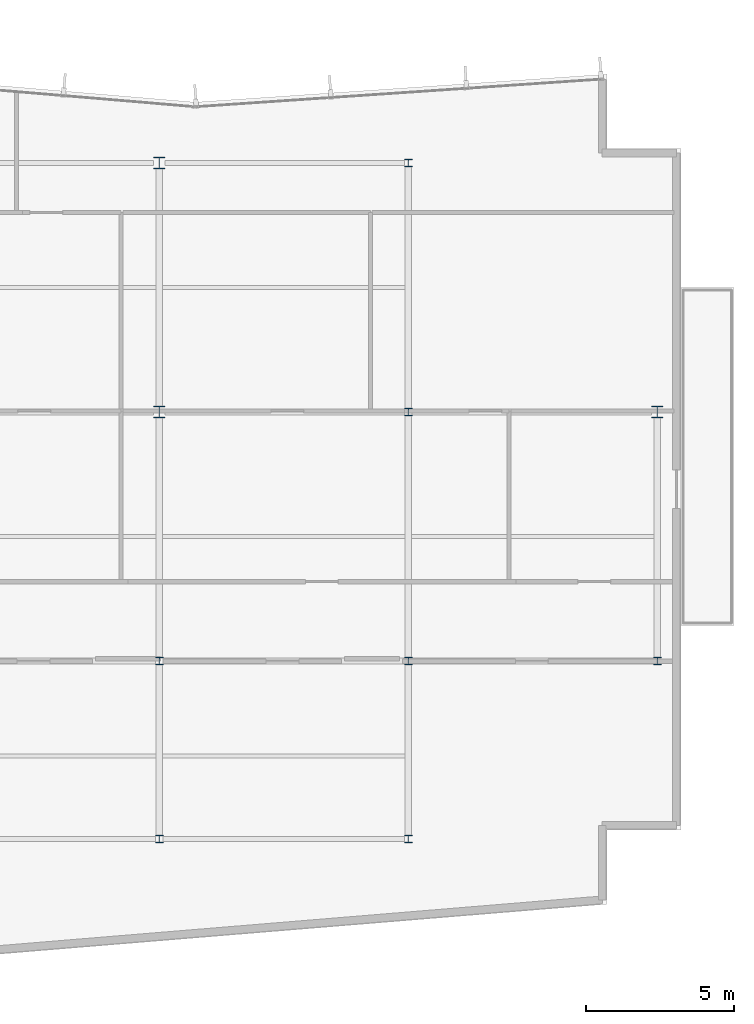
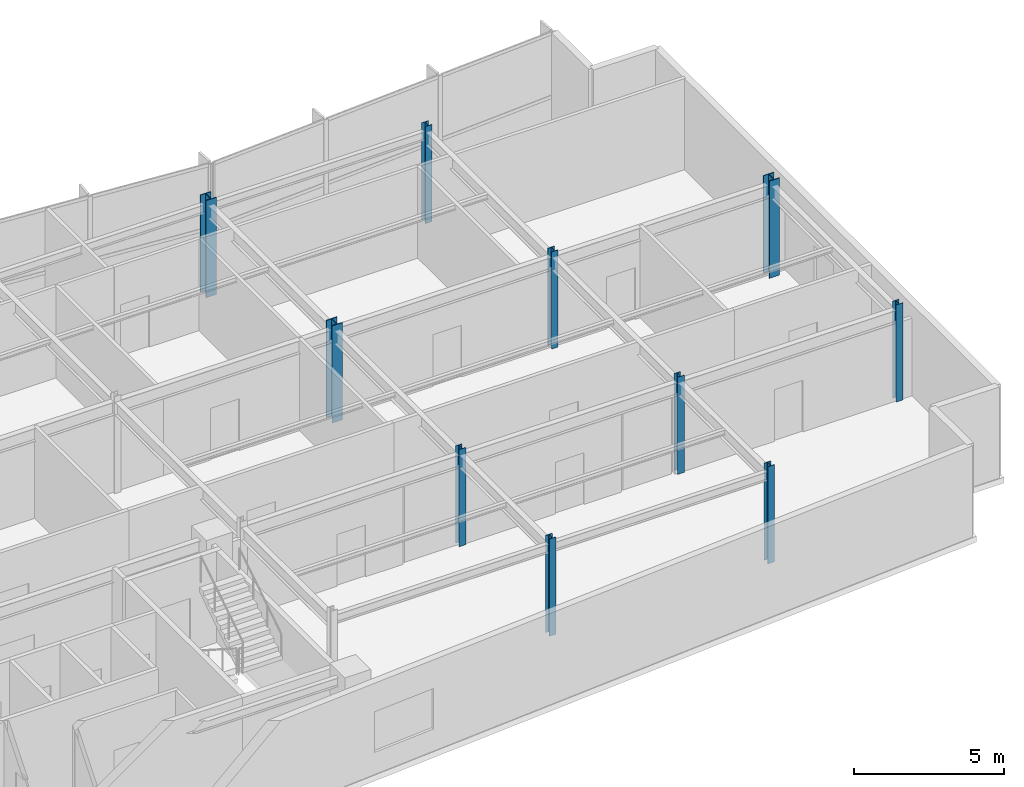
# One storey, part 2 of 14: 10 columns.
"""IFC4 building model written with IfcOpenShell, lengths in metres."""

from ifc_helpers import new_model, si_unit, direction, frame, origin, origin_2d, place, context, subcontext, project, spatial, i_section, extrude, material, material_profile, profile_set, type_object, element, save


model = new_model("IFC4")

# Units and contexts
model_context = context("Model", 3, precision=1e-05, world=origin(), true_north=direction((0.0, 1.0)))
body_context = subcontext(model_context, "Body", "Model", "MODEL_VIEW")
ifc_project = project(units=[si_unit("LENGTHUNIT", "METRE"), si_unit("AREAUNIT", "SQUARE_METRE"), si_unit("VOLUMEUNIT", "CUBIC_METRE"), si_unit("PLANEANGLEUNIT", "RADIAN"), si_unit("MASSUNIT", "GRAM", prefix="KILO")], contexts=[model_context])

# Site, building, storey
site_placement = place(None, origin())
site = spatial("IfcSite", under=ifc_project, at=site_placement, CompositionType="ELEMENT")
building_placement = place(site_placement, origin())
building = spatial("IfcBuilding", under=site, at=building_placement, Name="Varnakote Quay Hospital", CompositionType="ELEMENT")
storey_placement = place(building_placement, frame((0.0, 0.0, 215.800048828125)))
storey = spatial("IfcBuildingStorey", under=building, at=storey_placement, Name="L53", CompositionType="ELEMENT", Elevation=215.800048828125)

# Columns
ifc_material_1 = material(Name="Structural steel AS/NZS 3679.1 Grade 350 L0 (fy 340 MPa)", Category="steel")
ifc_material_profile_1 = material_profile(ifc_material_1, i_section(OverallWidth=0.256103515625, OverallDepth=0.260009765625, WebThickness=0.010498046875, FlangeThickness=0.017333984375, FilletRadius=0.0126953125, at=origin_2d()), Name="250UC89.5")
ifc_profile_set_1 = profile_set([ifc_material_profile_1], Name="Structural steel AS/NZS 3679.1 Grade 350 L0 (fy 340 MPa)")
column_type_1 = type_object("IfcColumnType", Name="COL-STL-250UC89-5", PredefinedType="COLUMN", material=ifc_profile_set_1)
for number, where, z_axis, x_axis, name in (
    (1, (33.60009765625, 6.0, 0.0), (0.0, 0.0, 1.0), (1.0, 0.0, 0.0), "L53 Structural Column C-34-6"),
    (2, (42.0, 6.0, 0.0), (0.0, 0.0, 1.0), (1.0, 0.0, 0.0), "L53 Structural Column C-42-6"),
    (3, (33.60009765625, 12.0, 0.0), (0.0, 0.0, 1.0), (1.0, 0.0, 0.0), "L53 Structural Column C-34-12"),
    (4, (42.0, 12.0, 0.0), (0.0, 0.0, 1.0), (1.0, 0.0, 0.0), "L53 Structural Column C-42-12"),
    (5, (50.39990234375, 12.0, 0.0), (0.0, 0.0, 1.0), (1.0, 0.0, 0.0), "L53 Structural Column C-50-12"),
    (6, (42.0, 20.39990234375, 0.0), (0.0, 0.0, 1.0), (1.0, 0.0, 0.0), "L53 Structural Column C-42-20"),
    (7, (42.0, 28.800048828125, 0.0), (0.0, 0.0, 1.0), (1.0, 0.0, 0.0), "L53 Structural Column C-42-29"),
):
    element("IfcColumn", number, at=place(storey_placement, frame(where, z_axis=z_axis, x_axis=x_axis)), inside=storey, type_object=column_type_1, Name=name, PredefinedType="COLUMN", context=body_context, shape_type="SweptSolid", body=[
        extrude(i_section(OverallWidth=0.256103515625, OverallDepth=0.260009765625, WebThickness=0.010498046875, FlangeThickness=0.017333984375, FilletRadius=0.0126953125, at=origin_2d()), origin(), (0.0, 0.0, 1.0), 3.949951171875),
    ])
ifc_material_2 = material(Name="Structural steel AS/NZS 3678 Grade 350 (fy 340 MPa)", Category="steel")
ifc_material_profile_2 = material_profile(ifc_material_2, i_section(OverallWidth=0.39990234375, OverallDepth=0.404052734375, WebThickness=0.02001953125, FlangeThickness=0.031982421875, at=origin_2d()), Name="400WC270")
ifc_profile_set_2 = profile_set([ifc_material_profile_2], Name="Structural steel AS/NZS 3678 Grade 350 (fy 340 MPa)")
column_type_2 = type_object("IfcColumnType", Name="COL-STL-400WC270", PredefinedType="COLUMN", material=ifc_profile_set_2)
for number, where, z_axis, x_axis, name in (
    (8, (33.60009765625, 20.39990234375, 0.0), (0.0, 0.0, 1.0), (1.0, 0.0, 0.0), "L53 Structural Column C-34-20"),
    (9, (50.39990234375, 20.39990234375, 0.0), (0.0, 0.0, 1.0), (1.0, 0.0, 0.0), "L53 Structural Column C-50-20"),
    (10, (33.60009765625, 28.800048828125, 0.0), (0.0, 0.0, 1.0), (1.0, 0.0, 0.0), "L53 Structural Column C-34-29"),
):
    element("IfcColumn", number, at=place(storey_placement, frame(where, z_axis=z_axis, x_axis=x_axis)), inside=storey, type_object=column_type_2, Name=name, PredefinedType="COLUMN", context=body_context, shape_type="SweptSolid", body=[
        extrude(i_section(OverallWidth=0.39990234375, OverallDepth=0.404052734375, WebThickness=0.02001953125, FlangeThickness=0.031982421875, at=origin_2d()), origin(), (0.0, 0.0, 1.0), 3.949951171875),
    ])

save(model, "model.ifc")
